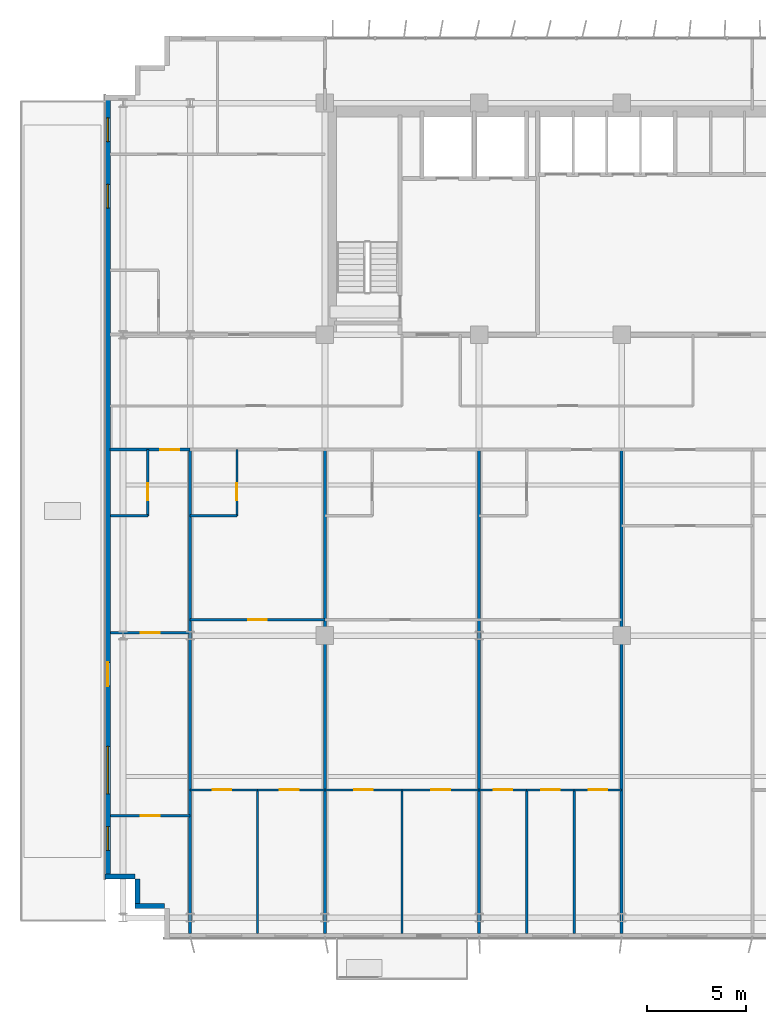
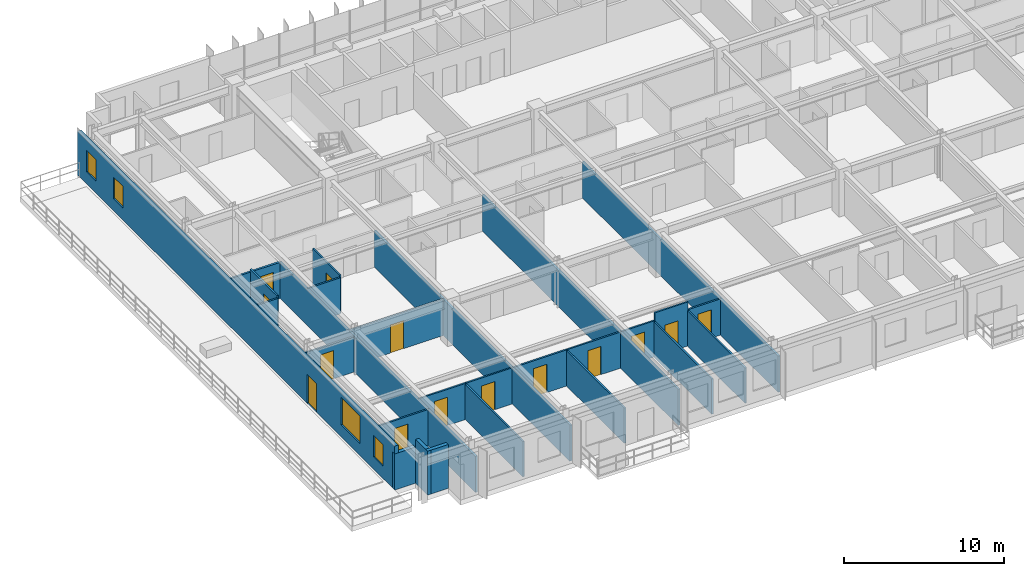
# One storey, part 16 of 26: 27 walls, 14 doors, 4 windows, 18 openings.
"""IFC4 building model written with IfcOpenShell, lengths in metres."""

from ifc_helpers import new_model, si_unit, direction, frame, frame_2d, origin, place, context, subcontext, project, spatial, rectangle, extrude, source, transform, mapped, material, layer, layer_set, type_object, element, fill, save


model = new_model("IFC4")

# Units and contexts
model_context = context("Model", 3, precision=1e-05, world=origin(), true_north=direction((0.0, 1.0)))
body_context = subcontext(model_context, "Body", "Model", "MODEL_VIEW")
ifc_project = project(units=[si_unit("LENGTHUNIT", "METRE"), si_unit("AREAUNIT", "SQUARE_METRE"), si_unit("VOLUMEUNIT", "CUBIC_METRE"), si_unit("PLANEANGLEUNIT", "RADIAN"), si_unit("MASSUNIT", "GRAM", prefix="KILO")], contexts=[model_context])

# Site, building, storey
site_placement = place(None, origin())
site = spatial("IfcSite", under=ifc_project, at=site_placement, CompositionType="ELEMENT")
building_placement = place(site_placement, origin())
building = spatial("IfcBuilding", under=site, at=building_placement, Name="Trelvane Seafront Commons", CompositionType="ELEMENT")
storey_placement = place(building_placement, frame((0.0, 0.0, 23.5)))
storey = spatial("IfcBuildingStorey", under=building, at=storey_placement, Name="L05", CompositionType="ELEMENT", Elevation=23.5)

# Walls
ifc_material_1 = material(Name="Precast concrete C40/50", Category="concrete")
ifc_layer_1 = layer(ifc_material_1, 0.260009765625, Name="ARCH-WALL-EXT260")
ifc_layer_set_1 = layer_set([ifc_layer_1], Name="Precast concrete C40/50")
wall_type_1 = type_object("IfcWallType", Name="ARCH-WALL-EXT260", PredefinedType="SOLIDWALL", material=ifc_layer_set_1)
for number, where, z_axis, x_axis, name in (
    (1, (7.5, 4.530029296875, 0.0), (0.0, 0.0, 1.0), (-1.0, 0.0, 0.0), "EW-L05-00047"),
    (2, (6.1298828125, 4.39990234375, 0.0), (0.0, 0.0, 1.0), (0.0, 1.0, 0.0), "EW-L05-00048"),
):
    element("IfcWall", number, at=place(storey_placement, frame(where, z_axis=z_axis, x_axis=x_axis)), inside=storey, type_object=wall_type_1, Name=name, PredefinedType="SOLIDWALL", context=body_context, shape_type="SweptSolid", body=[
        extrude(rectangle(XDim=1.5, YDim=0.260009765625, at=frame_2d((0.75, 0.0))), origin(), (0.0, 0.0, 1.0), 3.340087890625),
    ])
wall_1_placement = place(storey_placement, frame((6.0, 6.030029296875, 0.0), z_axis=(0.0, 0.0, 1.0), x_axis=(-1.0, 0.0, 0.0)))
element("IfcWall", 3, at=wall_1_placement, inside=storey, type_object=wall_type_1, Name="EW-L05-00049", PredefinedType="SOLIDWALL", context=body_context, shape_type="SweptSolid", body=[
    extrude(rectangle(XDim=1.5, YDim=0.260009765625, at=frame_2d((0.75, 0.0))), origin(), (0.0, 0.0, 1.0), 2.751953125),
])

# Wall, openings, windows, door
wall_2_placement = place(storey_placement, frame((4.6298828125, 5.89990234375, 0.0), z_axis=(0.0, 0.0, 1.0), x_axis=(0.0, 1.0, 0.0)))
wall_2 = element("IfcWall", 4, at=wall_2_placement, inside=storey, type_object=wall_type_1, Name="EW-L05-00050", PredefinedType="SOLIDWALL", context=body_context, shape_type="SweptSolid", body=[
    extrude(rectangle(XDim=39.60009765625, YDim=0.260009765625, at=frame_2d((19.800048828125, 0.0))), origin(), (0.0, 0.0, 1.0), 3.340087890625),
])
opening_1_placement = place(wall_2_placement, frame((9.7451171875, 0.0, 0.0)))
opening_1 = element("IfcOpeningElement", 5, at=opening_1_placement, cuts=wall_2, Name="Opening TD-L05-13", PredefinedType="OPENING", context=body_context, shape_type="SweptSolid", body=[
    extrude(rectangle(XDim=1.199951171875, YDim=2.199951171875, at=frame_2d((0.60009765625, 1.10009765625))), frame((0.0, 0.139892578125, 0.0), z_axis=(0.0, -1.0, 0.0), x_axis=(1.0, 0.0, 0.0)), (0.0, 0.0, 1.0), 0.280029296875),
])
opening_2_placement = place(wall_2_placement, frame((1.449951171875, 0.0, 0.919921875)))
opening_2 = element("IfcOpeningElement", 6, at=opening_2_placement, cuts=wall_2, Name="Opening W05", PredefinedType="OPENING", context=body_context, shape_type="SweptSolid", body=[
    extrude(rectangle(XDim=1.199951171875, YDim=1.64990234375, at=frame_2d((0.60009765625, 0.824951171875))), frame((0.0, 0.139892578125, 0.0), z_axis=(0.0, -1.0, 0.0), x_axis=(1.0, 0.0, 0.0)), (0.0, 0.0, 1.0), 0.280029296875),
])
opening_3_placement = place(wall_2_placement, frame((4.300048828125, 0.0, 0.919921875)))
opening_3 = element("IfcOpeningElement", 7, at=opening_3_placement, cuts=wall_2, Name="Opening W08", PredefinedType="OPENING", context=body_context, shape_type="SweptSolid", body=[
    extrude(rectangle(XDim=2.39990234375, YDim=2.10009765625, at=frame_2d((1.199951171875, 1.050048828125))), frame((0.0, 0.139892578125, 0.0), z_axis=(0.0, -1.0, 0.0), x_axis=(1.0, 0.0, 0.0)), (0.0, 0.0, 1.0), 0.280029296875),
])
opening_4_placement = place(wall_2_placement, frame((33.89990234375, 0.0, 0.919921875)))
opening_4 = element("IfcOpeningElement", 8, at=opening_4_placement, cuts=wall_2, Name="Opening W05", PredefinedType="OPENING", context=body_context, shape_type="SweptSolid", body=[
    extrude(rectangle(XDim=1.199951171875, YDim=1.64990234375, at=frame_2d((0.60009765625, 0.824951171875))), frame((0.0, 0.139892578125, 0.0), z_axis=(0.0, -1.0, 0.0), x_axis=(1.0, 0.0, 0.0)), (0.0, 0.0, 1.0), 0.280029296875),
])
opening_5_placement = place(wall_2_placement, frame((37.25, 0.0, 0.919921875)))
opening_5 = element("IfcOpeningElement", 9, at=opening_5_placement, cuts=wall_2, Name="Opening W05", PredefinedType="OPENING", context=body_context, shape_type="SweptSolid", body=[
    extrude(rectangle(XDim=1.199951171875, YDim=1.64990234375, at=frame_2d((0.60009765625, 0.824951171875))), frame((0.0, 0.139892578125, 0.0), z_axis=(0.0, -1.0, 0.0), x_axis=(1.0, 0.0, 0.0)), (0.0, 0.0, 1.0), 0.280029296875),
])
ifc_material_2 = material(Name="Low-E coastal double glazing", Category="glass")
window_type_1 = type_object("IfcWindowType", Name="ARCH-WIN-W08", PartitioningType="SINGLE_PANEL", PredefinedType="WINDOW", material=ifc_material_2)
shared_shape_1 = source(origin(), body_context, "Body", "SweptSolid", [
    extrude(rectangle(XDim=2.39990234375, YDim=2.10009765625, at=frame_2d((1.199951171875, 1.050048828125))), frame((0.0, 0.030029296875, 0.0), z_axis=(0.0, -1.0, 0.0), x_axis=(1.0, 0.0, 0.0)), (0.0, 0.0, 1.0), 0.06005859375),
])
window_1_placement = place(opening_3_placement, origin())
window_1 = element("IfcWindow", 10, at=window_1_placement, inside=storey, type_object=window_type_1, Name="WIN-L05-EW-00079", OverallHeight=2.10009765625, OverallWidth=2.39990234375, PartitioningType="SINGLE_PANEL", PredefinedType="WINDOW", context=body_context, shape_type="MappedRepresentation", body=[
    mapped(shared_shape_1, transform((0.0, 0.0, 0.0), x_axis=(1.0, 0.0, 0.0), y_axis=(0.0, 1.0, 0.0), z_axis=(0.0, 0.0, 1.0), scale=1.0)),
])
fill(opening_3, window_1)
window_type_2 = type_object("IfcWindowType", Name="ARCH-WIN-W05", PartitioningType="SINGLE_PANEL", PredefinedType="WINDOW", material=ifc_material_2)
shared_shape_2 = source(origin(), body_context, "Body", "SweptSolid", [
    extrude(rectangle(XDim=1.199951171875, YDim=1.64990234375, at=frame_2d((0.60009765625, 0.824951171875))), frame((0.0, 0.030029296875, 0.0), z_axis=(0.0, -1.0, 0.0), x_axis=(1.0, 0.0, 0.0)), (0.0, 0.0, 1.0), 0.06005859375),
])
window_2_placement = place(opening_2_placement, origin())
window_2 = element("IfcWindow", 11, at=window_2_placement, inside=storey, type_object=window_type_2, Name="WIN-L05-EW-00078", OverallHeight=1.64990234375, OverallWidth=1.199951171875, PartitioningType="SINGLE_PANEL", PredefinedType="WINDOW", context=body_context, shape_type="MappedRepresentation", body=[
    mapped(shared_shape_2, transform((0.0, 0.0, 0.0), x_axis=(1.0, 0.0, 0.0), y_axis=(0.0, 1.0, 0.0), z_axis=(0.0, 0.0, 1.0), scale=1.0)),
])
fill(opening_2, window_2)
window_3_placement = place(opening_4_placement, origin())
window_3 = element("IfcWindow", 12, at=window_3_placement, inside=storey, type_object=window_type_2, Name="WIN-L05-EW-00080", OverallHeight=1.64990234375, OverallWidth=1.199951171875, PartitioningType="SINGLE_PANEL", PredefinedType="WINDOW", context=body_context, shape_type="MappedRepresentation", body=[
    mapped(shared_shape_2, transform((0.0, 0.0, 0.0), x_axis=(1.0, 0.0, 0.0), y_axis=(0.0, 1.0, 0.0), z_axis=(0.0, 0.0, 1.0), scale=1.0)),
])
fill(opening_4, window_3)
window_4_placement = place(opening_5_placement, origin())
window_4 = element("IfcWindow", 13, at=window_4_placement, inside=storey, type_object=window_type_2, Name="WIN-L05-EW-00081", OverallHeight=1.64990234375, OverallWidth=1.199951171875, PartitioningType="SINGLE_PANEL", PredefinedType="WINDOW", context=body_context, shape_type="MappedRepresentation", body=[
    mapped(shared_shape_2, transform((0.0, 0.0, 0.0), x_axis=(1.0, 0.0, 0.0), y_axis=(0.0, 1.0, 0.0), z_axis=(0.0, 0.0, 1.0), scale=1.0)),
])
fill(opening_5, window_4)
ifc_material_3 = material(Name="Powder-coated aluminium frame", Category="aluminium")
door_type_1 = type_object("IfcDoorType", Name="ARCH-DR-BAL1200", OperationType="NOTDEFINED", PredefinedType="DOOR", material=ifc_material_3)
shared_shape_3 = source(origin(), body_context, "Body", "SweptSolid", [
    extrude(rectangle(XDim=1.199951171875, YDim=2.199951171875, at=frame_2d((0.60009765625, 1.10009765625))), frame((0.0, 0.02490234375, 0.0), z_axis=(0.0, -1.0, 0.0), x_axis=(1.0, 0.0, 0.0)), (0.0, 0.0, 1.0), 0.050048828125),
])
door_1_placement = place(opening_1_placement, origin())
door_1 = element("IfcDoor", 14, at=door_1_placement, inside=storey, type_object=door_type_1, Name="L05 Setback Terrace Access Door", OperationType="SINGLE_SWING_RIGHT", OverallHeight=2.199951171875, OverallWidth=1.199951171875, PredefinedType="DOOR", context=body_context, shape_type="MappedRepresentation", body=[
    mapped(shared_shape_3, transform((0.0, 0.0, 0.0), x_axis=(1.0, 0.0, 0.0), y_axis=(0.0, 1.0, 0.0), z_axis=(0.0, 0.0, 1.0), scale=1.0)),
])
fill(opening_1, door_1)

# Wall, opening, door
ifc_material_4 = material(Name="Gypsum Drywall Acoustic Partition")
ifc_layer_2 = layer(ifc_material_4, 0.1201171875, Name="ARCH-WALL-PART120")
ifc_layer_set_2 = layer_set([ifc_layer_2], Name="Gypsum Drywall Acoustic Partition")
wall_type_2 = type_object("IfcWallType", Name="ARCH-WALL-PART120", PredefinedType="PARTITIONING", material=ifc_layer_set_2)
wall_3_placement = place(storey_placement, frame((4.760009765625, 18.35009765625, 0.0), z_axis=(0.0, 0.0, 1.0), x_axis=(1.0, 0.0, 0.0)))
wall_3 = element("IfcWall", 15, at=wall_3_placement, inside=storey, type_object=wall_type_2, Name="W-L05-U1-KL-073", PredefinedType="PARTITIONING", context=body_context, shape_type="SweptSolid", body=[
    extrude(rectangle(XDim=4.0400390625, YDim=0.1201171875, at=frame_2d((2.02001953125, 0.0))), origin(), (0.0, 0.0, 1.0), 2.68994140625),
])
opening_6_placement = place(wall_3_placement, frame((1.544921875, 0.0, 0.0)))
opening_6 = element("IfcOpeningElement", 16, at=opening_6_placement, cuts=wall_3, Name="Opening D-L05-33", PredefinedType="OPENING", context=body_context, shape_type="SweptSolid", body=[
    extrude(rectangle(XDim=0.949951171875, YDim=2.14990234375, at=frame_2d((0.47509765625, 1.074951171875))), frame((0.0, 0.070068359375, 0.0), z_axis=(0.0, -1.0, 0.0), x_axis=(1.0, 0.0, 0.0)), (0.0, 0.0, 1.0), 0.14013671875),
])
ifc_material_5 = material(Name="Acoustic timber door leaf", Category="wood")
door_type_2 = type_object("IfcDoorType", Name="ARCH-DR-INT950", OperationType="NOTDEFINED", PredefinedType="DOOR", material=ifc_material_5)
shared_shape_4 = source(origin(), body_context, "Body", "SweptSolid", [
    extrude(rectangle(XDim=0.949951171875, YDim=2.14990234375, at=frame_2d((0.47509765625, 1.074951171875))), frame((0.0, 0.02490234375, 0.0), z_axis=(0.0, -1.0, 0.0), x_axis=(1.0, 0.0, 0.0)), (0.0, 0.0, 1.0), 0.050048828125),
])
door_2_placement = place(opening_6_placement, origin())
door_2 = element("IfcDoor", 17, at=door_2_placement, inside=storey, type_object=door_type_2, Name="L05 Door 33", OperationType="SINGLE_SWING_LEFT", OverallHeight=2.14990234375, OverallWidth=0.949951171875, PredefinedType="DOOR", context=body_context, shape_type="MappedRepresentation", body=[
    mapped(shared_shape_4, transform((0.0, 0.0, 0.0), x_axis=(1.0, 0.0, 0.0), y_axis=(0.0, 1.0, 0.0), z_axis=(0.0, 0.0, 1.0), scale=1.0)),
])
fill(opening_6, door_2)

wall_4_placement = place(storey_placement, frame((6.659912109375, 24.25, 0.0), z_axis=(0.0, 0.0, 1.0), x_axis=(0.0, 1.0, 0.0)))
wall_4 = element("IfcWall", 18, at=wall_4_placement, inside=storey, type_object=wall_type_2, Name="W-L05-U1-BE-074", PredefinedType="PARTITIONING", context=body_context, shape_type="SweptSolid", body=[
    extrude(rectangle(XDim=3.35009765625, YDim=0.1201171875, at=frame_2d((1.675048828125, 0.0))), origin(), (0.0, 0.0, 1.0), 2.93994140625),
])
opening_7_placement = place(wall_4_placement, frame((0.800048828125, 0.0, 0.0)))
opening_7 = element("IfcOpeningElement", 19, at=opening_7_placement, cuts=wall_4, Name="Opening D-L05-34", PredefinedType="OPENING", context=body_context, shape_type="SweptSolid", body=[
    extrude(rectangle(XDim=0.85009765625, YDim=2.10009765625, at=frame_2d((0.425048828125, 1.050048828125))), frame((0.0, 0.070068359375, 0.0), z_axis=(0.0, -1.0, 0.0), x_axis=(1.0, 0.0, 0.0)), (0.0, 0.0, 1.0), 0.14013671875),
])
door_type_3 = type_object("IfcDoorType", Name="ARCH-DR-INT850", OperationType="NOTDEFINED", PredefinedType="DOOR", material=ifc_material_5)
shared_shape_5 = source(origin(), body_context, "Body", "SweptSolid", [
    extrude(rectangle(XDim=0.85009765625, YDim=2.10009765625, at=frame_2d((0.425048828125, 1.050048828125))), frame((0.0, 0.02490234375, 0.0), z_axis=(0.0, -1.0, 0.0), x_axis=(1.0, 0.0, 0.0)), (0.0, 0.0, 1.0), 0.050048828125),
])
door_3_placement = place(opening_7_placement, origin())
door_3 = element("IfcDoor", 20, at=door_3_placement, inside=storey, type_object=door_type_3, Name="L05 Door 34", OperationType="SINGLE_SWING_RIGHT", OverallHeight=2.10009765625, OverallWidth=0.85009765625, PredefinedType="DOOR", context=body_context, shape_type="MappedRepresentation", body=[
    mapped(shared_shape_5, transform((0.0, 0.0, 0.0), x_axis=(1.0, 0.0, 0.0), y_axis=(0.0, 1.0, 0.0), z_axis=(0.0, 0.0, 1.0), scale=1.0)),
])
fill(opening_7, door_3)

# Wall
wall_5_placement = place(storey_placement, frame((4.760009765625, 24.25, 0.0), z_axis=(0.0, 0.0, 1.0), x_axis=(1.0, 0.0, 0.0)))
element("IfcWall", 21, at=wall_5_placement, inside=storey, type_object=wall_type_2, Name="W-L05-U1-BS-075", PredefinedType="PARTITIONING", context=body_context, shape_type="SweptSolid", body=[
    extrude(rectangle(XDim=1.89990234375, YDim=0.1201171875, at=frame_2d((0.949951171875, 0.0))), origin(), (0.0, 0.0, 1.0), 2.751953125),
])

# Wall, opening, door
wall_6_placement = place(storey_placement, frame((4.760009765625, 9.10009765625, 0.0), z_axis=(0.0, 0.0, 1.0), x_axis=(1.0, 0.0, 0.0)))
wall_6 = element("IfcWall", 22, at=wall_6_placement, inside=storey, type_object=wall_type_2, Name="W-L05-U1-YM-1-077", PredefinedType="PARTITIONING", context=body_context, shape_type="SweptSolid", body=[
    extrude(rectangle(XDim=4.0400390625, YDim=0.1201171875, at=frame_2d((2.02001953125, 0.0))), origin(), (0.0, 0.0, 1.0), 2.751953125),
])
opening_8_placement = place(wall_6_placement, frame((1.544921875, 0.0, 0.0)))
opening_8 = element("IfcOpeningElement", 23, at=opening_8_placement, cuts=wall_6, Name="Opening D-L05-36", PredefinedType="OPENING", context=body_context, shape_type="SweptSolid", body=[
    extrude(rectangle(XDim=0.949951171875, YDim=2.14990234375, at=frame_2d((0.47509765625, 1.074951171875))), frame((0.0, 0.070068359375, 0.0), z_axis=(0.0, -1.0, 0.0), x_axis=(1.0, 0.0, 0.0)), (0.0, 0.0, 1.0), 0.14013671875),
])
door_4_placement = place(opening_8_placement, origin())
door_4 = element("IfcDoor", 24, at=door_4_placement, inside=storey, type_object=door_type_2, Name="L05 Door 36", OperationType="SINGLE_SWING_RIGHT", OverallHeight=2.14990234375, OverallWidth=0.949951171875, PredefinedType="DOOR", context=body_context, shape_type="MappedRepresentation", body=[
    mapped(shared_shape_4, transform((0.0, 0.0, 0.0), x_axis=(1.0, 0.0, 0.0), y_axis=(0.0, 1.0, 0.0), z_axis=(0.0, 0.0, 1.0), scale=1.0)),
])
fill(opening_8, door_4)

wall_7_placement = place(storey_placement, frame((8.800048828125, 19.0, 0.0), z_axis=(0.0, 0.0, 1.0), x_axis=(1.0, 0.0, 0.0)))
wall_7 = element("IfcWall", 25, at=wall_7_placement, inside=storey, type_object=wall_type_2, Name="W-L05-U2-KL-078", PredefinedType="PARTITIONING", context=body_context, shape_type="SweptSolid", body=[
    extrude(rectangle(XDim=6.800048828125, YDim=0.1201171875, at=frame_2d((3.39990234375, 0.0))), origin(), (0.0, 0.0, 1.0), 2.751953125),
])
opening_9_placement = place(wall_7_placement, frame((2.925048828125, 0.0, 0.0)))
opening_9 = element("IfcOpeningElement", 26, at=opening_9_placement, cuts=wall_7, Name="Opening D-L05-37", PredefinedType="OPENING", context=body_context, shape_type="SweptSolid", body=[
    extrude(rectangle(XDim=0.949951171875, YDim=2.14990234375, at=frame_2d((0.47509765625, 1.074951171875))), frame((0.0, 0.070068359375, 0.0), z_axis=(0.0, -1.0, 0.0), x_axis=(1.0, 0.0, 0.0)), (0.0, 0.0, 1.0), 0.14013671875),
])
door_5_placement = place(opening_9_placement, origin())
door_5 = element("IfcDoor", 27, at=door_5_placement, inside=storey, type_object=door_type_2, Name="L05 Door 37", OperationType="SINGLE_SWING_LEFT", OverallHeight=2.14990234375, OverallWidth=0.949951171875, PredefinedType="DOOR", context=body_context, shape_type="MappedRepresentation", body=[
    mapped(shared_shape_4, transform((0.0, 0.0, 0.0), x_axis=(1.0, 0.0, 0.0), y_axis=(0.0, 1.0, 0.0), z_axis=(0.0, 0.0, 1.0), scale=1.0)),
])
fill(opening_9, door_5)

wall_8_placement = place(storey_placement, frame((11.162109375, 24.25, 0.0), z_axis=(0.0, 0.0, 1.0), x_axis=(0.0, 1.0, 0.0)))
wall_8 = element("IfcWall", 28, at=wall_8_placement, inside=storey, type_object=wall_type_2, Name="W-L05-U2-BE-079", PredefinedType="PARTITIONING", context=body_context, shape_type="SweptSolid", body=[
    extrude(rectangle(XDim=3.35009765625, YDim=0.1201171875, at=frame_2d((1.675048828125, 0.0))), origin(), (0.0, 0.0, 1.0), 2.93994140625),
])
opening_10_placement = place(wall_8_placement, frame((0.800048828125, 0.0, 0.0)))
opening_10 = element("IfcOpeningElement", 29, at=opening_10_placement, cuts=wall_8, Name="Opening D-L05-38", PredefinedType="OPENING", context=body_context, shape_type="SweptSolid", body=[
    extrude(rectangle(XDim=0.85009765625, YDim=2.10009765625, at=frame_2d((0.425048828125, 1.050048828125))), frame((0.0, 0.070068359375, 0.0), z_axis=(0.0, -1.0, 0.0), x_axis=(1.0, 0.0, 0.0)), (0.0, 0.0, 1.0), 0.14013671875),
])
door_6_placement = place(opening_10_placement, origin())
door_6 = element("IfcDoor", 30, at=door_6_placement, inside=storey, type_object=door_type_3, Name="L05 Door 38", OperationType="SINGLE_SWING_RIGHT", OverallHeight=2.10009765625, OverallWidth=0.85009765625, PredefinedType="DOOR", context=body_context, shape_type="MappedRepresentation", body=[
    mapped(shared_shape_5, transform((0.0, 0.0, 0.0), x_axis=(1.0, 0.0, 0.0), y_axis=(0.0, 1.0, 0.0), z_axis=(0.0, 0.0, 1.0), scale=1.0)),
])
fill(opening_10, door_6)

# Wall
wall_9_placement = place(storey_placement, frame((8.800048828125, 24.25, 0.0), z_axis=(0.0, 0.0, 1.0), x_axis=(1.0, 0.0, 0.0)))
element("IfcWall", 31, at=wall_9_placement, inside=storey, type_object=wall_type_2, Name="W-L05-U2-BS-080", PredefinedType="PARTITIONING", context=body_context, shape_type="SweptSolid", body=[
    extrude(rectangle(XDim=2.362060546875, YDim=0.1201171875, at=frame_2d((1.18115234375, 0.0))), origin(), (0.0, 0.0, 1.0), 2.751953125),
])

# Wall, opening, door
wall_10_placement = place(storey_placement, frame((8.800048828125, 10.39990234375, 0.0), z_axis=(0.0, 0.0, 1.0), x_axis=(1.0, 0.0, 0.0)))
wall_10 = element("IfcWall", 32, at=wall_10_placement, inside=storey, type_object=wall_type_2, Name="W-L05-U2-YM-1-082", PredefinedType="PARTITIONING", context=body_context, shape_type="SweptSolid", body=[
    extrude(rectangle(XDim=3.39990234375, YDim=0.1201171875, at=frame_2d((1.699951171875, 0.0))), origin(), (0.0, 0.0, 1.0), 2.751953125),
])
opening_11_placement = place(wall_10_placement, frame((1.131103515625, 0.0, 0.0)))
opening_11 = element("IfcOpeningElement", 33, at=opening_11_placement, cuts=wall_10, Name="Opening D-L05-40", PredefinedType="OPENING", context=body_context, shape_type="SweptSolid", body=[
    extrude(rectangle(XDim=0.949951171875, YDim=2.14990234375, at=frame_2d((0.47509765625, 1.074951171875))), frame((0.0, 0.070068359375, 0.0), z_axis=(0.0, -1.0, 0.0), x_axis=(1.0, 0.0, 0.0)), (0.0, 0.0, 1.0), 0.14013671875),
])
door_7_placement = place(opening_11_placement, origin())
door_7 = element("IfcDoor", 34, at=door_7_placement, inside=storey, type_object=door_type_2, Name="L05 Door 40", OperationType="SINGLE_SWING_RIGHT", OverallHeight=2.14990234375, OverallWidth=0.949951171875, PredefinedType="DOOR", context=body_context, shape_type="MappedRepresentation", body=[
    mapped(shared_shape_4, transform((0.0, 0.0, 0.0), x_axis=(1.0, 0.0, 0.0), y_axis=(0.0, 1.0, 0.0), z_axis=(0.0, 0.0, 1.0), scale=1.0)),
])
fill(opening_11, door_7)

wall_11_placement = place(storey_placement, frame((12.199951171875, 10.39990234375, 0.0), z_axis=(0.0, 0.0, 1.0), x_axis=(1.0, 0.0, 0.0)))
wall_11 = element("IfcWall", 35, at=wall_11_placement, inside=storey, type_object=wall_type_2, Name="W-L05-U2-YM-2-083", PredefinedType="PARTITIONING", context=body_context, shape_type="SweptSolid", body=[
    extrude(rectangle(XDim=3.400146484375, YDim=0.1201171875, at=frame_2d((1.7001953125, 0.0))), origin(), (0.0, 0.0, 1.0), 2.751953125),
])
opening_12_placement = place(wall_11_placement, frame((1.131103515625, 0.0, 0.0)))
opening_12 = element("IfcOpeningElement", 36, at=opening_12_placement, cuts=wall_11, Name="Opening D-L05-41", PredefinedType="OPENING", context=body_context, shape_type="SweptSolid", body=[
    extrude(rectangle(XDim=0.949951171875, YDim=2.14990234375, at=frame_2d((0.47509765625, 1.074951171875))), frame((0.0, 0.070068359375, 0.0), z_axis=(0.0, -1.0, 0.0), x_axis=(1.0, 0.0, 0.0)), (0.0, 0.0, 1.0), 0.14013671875),
])
door_8_placement = place(opening_12_placement, origin())
door_8 = element("IfcDoor", 37, at=door_8_placement, inside=storey, type_object=door_type_2, Name="L05 Door 41", OperationType="SINGLE_SWING_LEFT", OverallHeight=2.14990234375, OverallWidth=0.949951171875, PredefinedType="DOOR", context=body_context, shape_type="MappedRepresentation", body=[
    mapped(shared_shape_4, transform((0.0, 0.0, 0.0), x_axis=(1.0, 0.0, 0.0), y_axis=(0.0, 1.0, 0.0), z_axis=(0.0, 0.0, 1.0), scale=1.0)),
])
fill(opening_12, door_8)

# Wall
wall_12_placement = place(storey_placement, frame((12.199951171875, 3.14501953125, 0.0), z_axis=(0.0, 0.0, 1.0), x_axis=(0.0, 1.0, 0.0)))
element("IfcWall", 38, at=wall_12_placement, inside=storey, type_object=wall_type_2, Name="W-L05-U2-BDV-1-084", PredefinedType="PARTITIONING", context=body_context, shape_type="SweptSolid", body=[
    extrude(rectangle(XDim=7.2548828125, YDim=0.1201171875, at=frame_2d((3.62744140625, 0.0))), origin(), (0.0, 0.0, 1.0), 2.68994140625),
])

# Wall, opening, door
wall_13_placement = place(storey_placement, frame((15.60009765625, 10.39990234375, 0.0), z_axis=(0.0, 0.0, 1.0), x_axis=(1.0, 0.0, 0.0)))
wall_13 = element("IfcWall", 39, at=wall_13_placement, inside=storey, type_object=wall_type_2, Name="W-L05-U3-YM-1-089", PredefinedType="PARTITIONING", context=body_context, shape_type="SweptSolid", body=[
    extrude(rectangle(XDim=3.89990234375, YDim=0.1201171875, at=frame_2d((1.949951171875, 0.0))), origin(), (0.0, 0.0, 1.0), 2.751953125),
])
opening_13_placement = place(wall_13_placement, frame((1.47509765625, 0.0, 0.0)))
opening_13 = element("IfcOpeningElement", 40, at=opening_13_placement, cuts=wall_13, Name="Opening D-L05-45", PredefinedType="OPENING", context=body_context, shape_type="SweptSolid", body=[
    extrude(rectangle(XDim=0.949951171875, YDim=2.14990234375, at=frame_2d((0.47509765625, 1.074951171875))), frame((0.0, 0.070068359375, 0.0), z_axis=(0.0, -1.0, 0.0), x_axis=(1.0, 0.0, 0.0)), (0.0, 0.0, 1.0), 0.14013671875),
])
door_9_placement = place(opening_13_placement, origin())
door_9 = element("IfcDoor", 41, at=door_9_placement, inside=storey, type_object=door_type_2, Name="L05 Door 45", OperationType="SINGLE_SWING_LEFT", OverallHeight=2.14990234375, OverallWidth=0.949951171875, PredefinedType="DOOR", context=body_context, shape_type="MappedRepresentation", body=[
    mapped(shared_shape_4, transform((0.0, 0.0, 0.0), x_axis=(1.0, 0.0, 0.0), y_axis=(0.0, 1.0, 0.0), z_axis=(0.0, 0.0, 1.0), scale=1.0)),
])
fill(opening_13, door_9)

wall_14_placement = place(storey_placement, frame((19.5, 10.39990234375, 0.0), z_axis=(0.0, 0.0, 1.0), x_axis=(1.0, 0.0, 0.0)))
wall_14 = element("IfcWall", 42, at=wall_14_placement, inside=storey, type_object=wall_type_2, Name="W-L05-U3-YM-2-090", PredefinedType="PARTITIONING", context=body_context, shape_type="SweptSolid", body=[
    extrude(rectangle(XDim=3.89990234375, YDim=0.1201171875, at=frame_2d((1.949951171875, 0.0))), origin(), (0.0, 0.0, 1.0), 2.751953125),
])
opening_14_placement = place(wall_14_placement, frame((1.47509765625, 0.0, 0.0)))
opening_14 = element("IfcOpeningElement", 43, at=opening_14_placement, cuts=wall_14, Name="Opening D-L05-46", PredefinedType="OPENING", context=body_context, shape_type="SweptSolid", body=[
    extrude(rectangle(XDim=0.949951171875, YDim=2.14990234375, at=frame_2d((0.47509765625, 1.074951171875))), frame((0.0, 0.070068359375, 0.0), z_axis=(0.0, -1.0, 0.0), x_axis=(1.0, 0.0, 0.0)), (0.0, 0.0, 1.0), 0.14013671875),
])
door_10_placement = place(opening_14_placement, origin())
door_10 = element("IfcDoor", 44, at=door_10_placement, inside=storey, type_object=door_type_2, Name="L05 Door 46", OperationType="SINGLE_SWING_RIGHT", OverallHeight=2.14990234375, OverallWidth=0.949951171875, PredefinedType="DOOR", context=body_context, shape_type="MappedRepresentation", body=[
    mapped(shared_shape_4, transform((0.0, 0.0, 0.0), x_axis=(1.0, 0.0, 0.0), y_axis=(0.0, 1.0, 0.0), z_axis=(0.0, 0.0, 1.0), scale=1.0)),
])
fill(opening_14, door_10)

# Wall
wall_15_placement = place(storey_placement, frame((19.5, 3.14501953125, 0.0), z_axis=(0.0, 0.0, 1.0), x_axis=(0.0, 1.0, 0.0)))
element("IfcWall", 45, at=wall_15_placement, inside=storey, type_object=wall_type_2, Name="W-L05-U3-BDV-1-091", PredefinedType="PARTITIONING", context=body_context, shape_type="SweptSolid", body=[
    extrude(rectangle(XDim=7.2548828125, YDim=0.1201171875, at=frame_2d((3.62744140625, 0.0))), origin(), (0.0, 0.0, 1.0), 2.68994140625),
])

# Wall, opening, door
wall_16_placement = place(storey_placement, frame((23.39990234375, 10.39990234375, 0.0), z_axis=(0.0, 0.0, 1.0), x_axis=(1.0, 0.0, 0.0)))
wall_16 = element("IfcWall", 46, at=wall_16_placement, inside=storey, type_object=wall_type_2, Name="W-L05-U4-YM-1-096", PredefinedType="PARTITIONING", context=body_context, shape_type="SweptSolid", body=[
    extrude(rectangle(XDim=2.400146484375, YDim=0.1201171875, at=frame_2d((1.2001953125, 0.0))), origin(), (0.0, 0.0, 1.0), 2.751953125),
])
opening_15_placement = place(wall_16_placement, frame((0.72509765625, 0.0, 0.0)))
opening_15 = element("IfcOpeningElement", 47, at=opening_15_placement, cuts=wall_16, Name="Opening D-L05-50", PredefinedType="OPENING", context=body_context, shape_type="SweptSolid", body=[
    extrude(rectangle(XDim=0.949951171875, YDim=2.14990234375, at=frame_2d((0.47509765625, 1.074951171875))), frame((0.0, 0.070068359375, 0.0), z_axis=(0.0, -1.0, 0.0), x_axis=(1.0, 0.0, 0.0)), (0.0, 0.0, 1.0), 0.14013671875),
])
door_11_placement = place(opening_15_placement, origin())
door_11 = element("IfcDoor", 48, at=door_11_placement, inside=storey, type_object=door_type_2, Name="L05 Door 50", OperationType="SINGLE_SWING_RIGHT", OverallHeight=2.14990234375, OverallWidth=0.949951171875, PredefinedType="DOOR", context=body_context, shape_type="MappedRepresentation", body=[
    mapped(shared_shape_4, transform((0.0, 0.0, 0.0), x_axis=(1.0, 0.0, 0.0), y_axis=(0.0, 1.0, 0.0), z_axis=(0.0, 0.0, 1.0), scale=1.0)),
])
fill(opening_15, door_11)

wall_17_placement = place(storey_placement, frame((25.800048828125, 10.39990234375, 0.0), z_axis=(0.0, 0.0, 1.0), x_axis=(1.0, 0.0, 0.0)))
wall_17 = element("IfcWall", 49, at=wall_17_placement, inside=storey, type_object=wall_type_2, Name="W-L05-U4-YM-2-097", PredefinedType="PARTITIONING", context=body_context, shape_type="SweptSolid", body=[
    extrude(rectangle(XDim=2.39990234375, YDim=0.1201171875, at=frame_2d((1.199951171875, 0.0))), origin(), (0.0, 0.0, 1.0), 3.340087890625),
])
opening_16_placement = place(wall_17_placement, frame((0.72509765625, 0.0, 0.0)))
opening_16 = element("IfcOpeningElement", 50, at=opening_16_placement, cuts=wall_17, Name="Opening D-L05-51", PredefinedType="OPENING", context=body_context, shape_type="SweptSolid", body=[
    extrude(rectangle(XDim=0.949951171875, YDim=2.14990234375, at=frame_2d((0.47509765625, 1.074951171875))), frame((0.0, 0.070068359375, 0.0), z_axis=(0.0, -1.0, 0.0), x_axis=(1.0, 0.0, 0.0)), (0.0, 0.0, 1.0), 0.14013671875),
])
door_12_placement = place(opening_16_placement, origin())
door_12 = element("IfcDoor", 51, at=door_12_placement, inside=storey, type_object=door_type_2, Name="L05 Door 51", OperationType="SINGLE_SWING_LEFT", OverallHeight=2.14990234375, OverallWidth=0.949951171875, PredefinedType="DOOR", context=body_context, shape_type="MappedRepresentation", body=[
    mapped(shared_shape_4, transform((0.0, 0.0, 0.0), x_axis=(1.0, 0.0, 0.0), y_axis=(0.0, 1.0, 0.0), z_axis=(0.0, 0.0, 1.0), scale=1.0)),
])
fill(opening_16, door_12)

# Wall
wall_18_placement = place(storey_placement, frame((25.800048828125, 3.14501953125, 0.0), z_axis=(0.0, 0.0, 1.0), x_axis=(0.0, 1.0, 0.0)))
element("IfcWall", 52, at=wall_18_placement, inside=storey, type_object=wall_type_2, Name="W-L05-U4-BDV-1-098", PredefinedType="PARTITIONING", context=body_context, shape_type="SweptSolid", body=[
    extrude(rectangle(XDim=7.2548828125, YDim=0.1201171875, at=frame_2d((3.62744140625, 0.0))), origin(), (0.0, 0.0, 1.0), 2.68994140625),
])

# Wall, opening, door
wall_19_placement = place(storey_placement, frame((28.199951171875, 10.39990234375, 0.0), z_axis=(0.0, 0.0, 1.0), x_axis=(1.0, 0.0, 0.0)))
wall_19 = element("IfcWall", 53, at=wall_19_placement, inside=storey, type_object=wall_type_2, Name="W-L05-U4-YM-3-099", PredefinedType="PARTITIONING", context=body_context, shape_type="SweptSolid", body=[
    extrude(rectangle(XDim=2.400146484375, YDim=0.1201171875, at=frame_2d((1.2001953125, 0.0))), origin(), (0.0, 0.0, 1.0), 2.751953125),
])
opening_17_placement = place(wall_19_placement, frame((0.72509765625, 0.0, 0.0)))
opening_17 = element("IfcOpeningElement", 54, at=opening_17_placement, cuts=wall_19, Name="Opening D-L05-52", PredefinedType="OPENING", context=body_context, shape_type="SweptSolid", body=[
    extrude(rectangle(XDim=0.949951171875, YDim=2.14990234375, at=frame_2d((0.47509765625, 1.074951171875))), frame((0.0, 0.070068359375, 0.0), z_axis=(0.0, -1.0, 0.0), x_axis=(1.0, 0.0, 0.0)), (0.0, 0.0, 1.0), 0.14013671875),
])
door_13_placement = place(opening_17_placement, origin())
door_13 = element("IfcDoor", 55, at=door_13_placement, inside=storey, type_object=door_type_2, Name="L05 Door 52", OperationType="SINGLE_SWING_RIGHT", OverallHeight=2.14990234375, OverallWidth=0.949951171875, PredefinedType="DOOR", context=body_context, shape_type="MappedRepresentation", body=[
    mapped(shared_shape_4, transform((0.0, 0.0, 0.0), x_axis=(1.0, 0.0, 0.0), y_axis=(0.0, 1.0, 0.0), z_axis=(0.0, 0.0, 1.0), scale=1.0)),
])
fill(opening_17, door_13)

# Walls
wall_20_placement = place(storey_placement, frame((28.199951171875, 3.14501953125, 0.0), z_axis=(0.0, 0.0, 1.0), x_axis=(0.0, 1.0, 0.0)))
element("IfcWall", 56, at=wall_20_placement, inside=storey, type_object=wall_type_2, Name="W-L05-U4-BDV-2-100", PredefinedType="PARTITIONING", context=body_context, shape_type="SweptSolid", body=[
    extrude(rectangle(XDim=7.2548828125, YDim=0.1201171875, at=frame_2d((3.62744140625, 0.0))), origin(), (0.0, 0.0, 1.0), 2.68994140625),
])
ifc_layer_3 = layer(ifc_material_4, 0.14990234375, Name="ARCH-WALL-PART150")
ifc_layer_set_3 = layer_set([ifc_layer_3], Name="Gypsum Drywall Acoustic Partition")
wall_type_3 = type_object("IfcWallType", Name="ARCH-WALL-PART150", PredefinedType="PARTITIONING", material=ifc_layer_set_3)
for number, where, z_axis, x_axis, name in (
    (57, (8.800048828125, 3.14501953125, 0.0), (0.0, 0.0, 1.0), (0.0, 1.0, 0.0), "W-L05-PW-1-064"),
    (58, (15.60009765625, 3.14501953125, 0.0), (0.0, 0.0, 1.0), (0.0, 1.0, 0.0), "W-L05-PW-2-065"),
    (59, (23.39990234375, 3.14501953125, 0.0), (0.0, 0.0, 1.0), (0.0, 1.0, 0.0), "W-L05-PW-3-066"),
    (60, (30.60009765625, 3.14501953125, 0.0), (0.0, 0.0, 1.0), (0.0, 1.0, 0.0), "W-L05-PW-4-067"),
):
    element("IfcWall", number, at=place(storey_placement, frame(where, z_axis=z_axis, x_axis=x_axis)), inside=storey, type_object=wall_type_3, Name=name, PredefinedType="PARTITIONING", context=body_context, shape_type="SweptSolid", body=[
        extrude(rectangle(XDim=24.455078125, YDim=0.14990234375, at=frame_2d((12.2275390625, 0.0))), origin(), (0.0, 0.0, 1.0), 2.751953125),
    ])

# Wall, opening, door
wall_21_placement = place(storey_placement, frame((4.7451171875, 27.60009765625, 0.0), z_axis=(0.0, 0.0, 1.0), x_axis=(1.0, 0.0, 0.0)))
wall_21 = element("IfcWall", 61, at=wall_21_placement, inside=storey, type_object=wall_type_3, Name="W-L05-CS-BAY-1-076", PredefinedType="PARTITIONING", context=body_context, shape_type="SweptSolid", body=[
    extrude(rectangle(XDim=4.054931640625, YDim=0.14990234375, at=frame_2d((2.02734375, 0.0))), origin(), (0.0, 0.0, 1.0), 2.751953125),
])
opening_18_placement = place(wall_21_placement, frame((2.5439453125, 0.0, 0.0)))
opening_18 = element("IfcOpeningElement", 62, at=opening_18_placement, cuts=wall_21, Name="Opening FD-L05-35", PredefinedType="OPENING", context=body_context, shape_type="SweptSolid", body=[
    extrude(rectangle(XDim=0.949951171875, YDim=2.14990234375, at=frame_2d((0.47509765625, 1.074951171875))), frame((0.0, 0.0849609375, 0.0), z_axis=(0.0, -1.0, 0.0), x_axis=(1.0, 0.0, 0.0)), (0.0, 0.0, 1.0), 0.169921875),
])
door_type_4 = type_object("IfcDoorType", Name="ARCH-DR-FD60-950", OperationType="NOTDEFINED", PredefinedType="DOOR", material=ifc_material_3)
door_14_placement = place(opening_18_placement, origin())
door_14 = element("IfcDoor", 63, at=door_14_placement, inside=storey, type_object=door_type_4, Name="L05 Unit 01 Entrance Door", OperationType="SINGLE_SWING_LEFT", OverallHeight=2.14990234375, OverallWidth=0.949951171875, PredefinedType="DOOR", context=body_context, shape_type="MappedRepresentation", body=[
    mapped(shared_shape_4, transform((0.0, 0.0, 0.0), x_axis=(1.0, 0.0, 0.0), y_axis=(0.0, 1.0, 0.0), z_axis=(0.0, 0.0, 1.0), scale=1.0)),
])
fill(opening_18, door_14)

save(model, "model.ifc")
